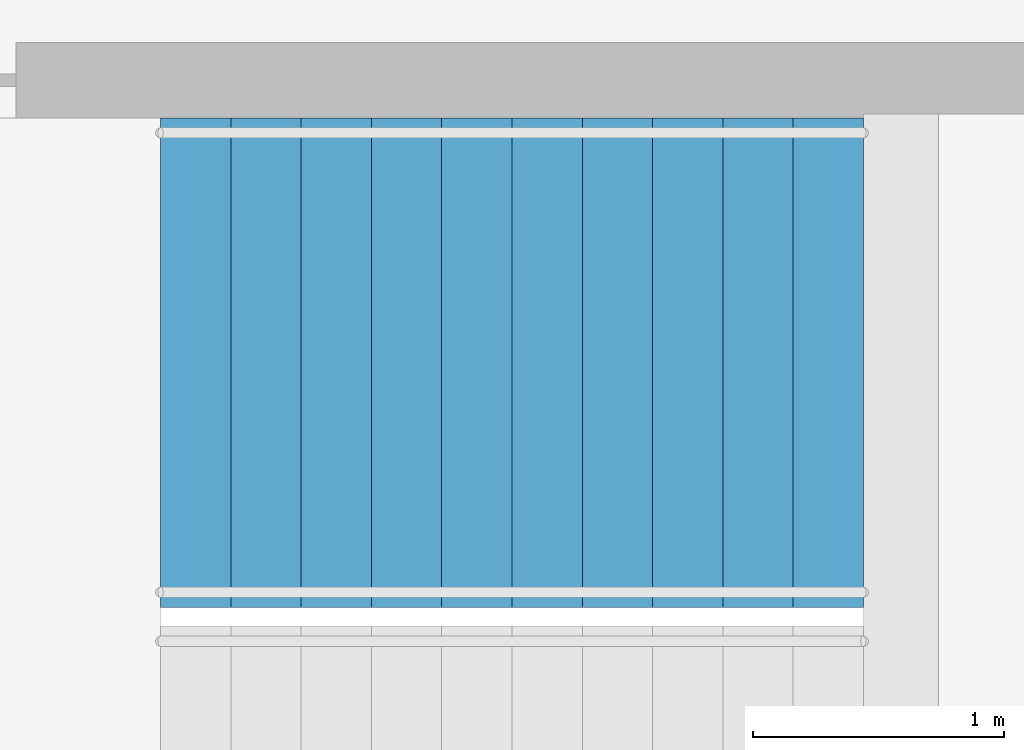
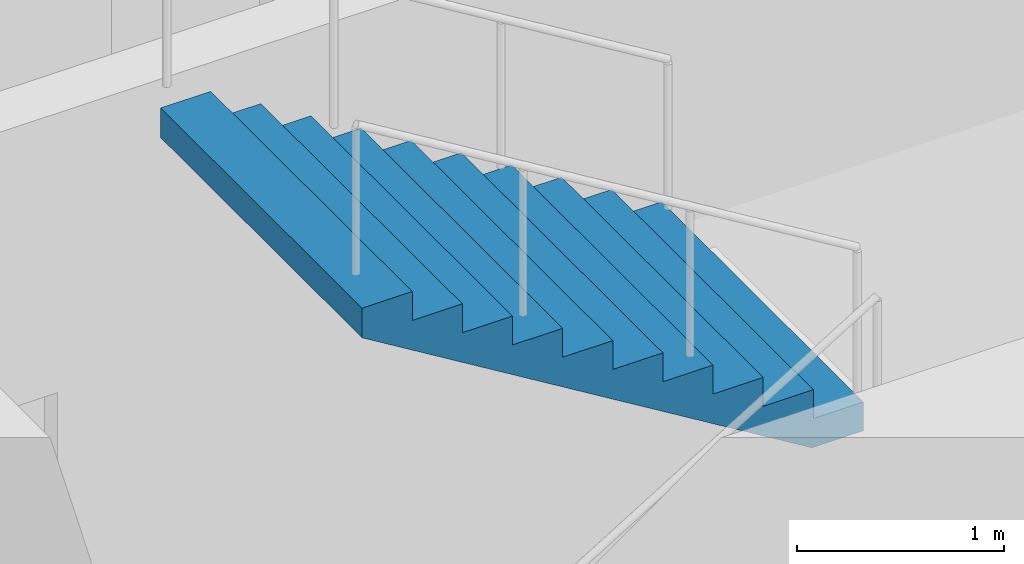
# One storey, part 18 of 21: 1 stair flight, 1 element without a shape of its own.
"""IFC4 building model written with IfcOpenShell, lengths in metres."""

from ifc_helpers import new_model, si_unit, direction, frame, origin, place, context, subcontext, project, spatial, triangles, material, type_object, element, aggregate, save


model = new_model("IFC4")

# Units and contexts
model_context = context("Model", 3, precision=1e-05, world=origin(), true_north=direction((0.0, 1.0)))
body_context = subcontext(model_context, "Body", "Model", "MODEL_VIEW")
ifc_project = project(units=[si_unit("LENGTHUNIT", "METRE"), si_unit("AREAUNIT", "SQUARE_METRE"), si_unit("VOLUMEUNIT", "CUBIC_METRE"), si_unit("PLANEANGLEUNIT", "RADIAN"), si_unit("MASSUNIT", "GRAM", prefix="KILO")], contexts=[model_context])

# Site, building, storey
site_placement = place(None, origin())
site = spatial("IfcSite", under=ifc_project, at=site_placement, CompositionType="ELEMENT")
building_placement = place(site_placement, origin())
building = spatial("IfcBuilding", under=site, at=building_placement, Name="Orbita Commons", CompositionType="ELEMENT")
storey_placement = place(building_placement, frame((0.0, 0.0, 103.14990234375)))
storey = spatial("IfcBuildingStorey", under=building, at=storey_placement, Name="L25", CompositionType="ELEMENT", Elevation=103.14990234375)

# Stair, stair flight
ifc_material_1 = material(Name="Precast concrete C40/50", Category="concrete")
stair_type = type_object("IfcStairType", Name="Exit stair S1 2 flights 11 risers 170", PredefinedType="HALF_TURN_STAIR", material=ifc_material_1)
stair_placement = place(storey_placement, origin())
stair = element("IfcStair", 1, at=stair_placement, inside=storey, type_object=stair_type, Name="Exit stair S1 L25", PredefinedType="HALF_TURN_STAIR")
ifc_material_2 = material(Name="Precast concrete C40/50", Category="concrete")
stair_flight_type = type_object("IfcStairFlightType", Name="Stair flight 11 risers 170 x 280", PredefinedType="STRAIGHT", material=ifc_material_2)
stair_flight_placement = place(storey_placement, frame((23.25, 29.27490234375, 1.875), z_axis=(0.0, 0.0, 1.0), x_axis=(-1.0, 0.0, 0.0)))
stair_flight = element("IfcStairFlight", 2, at=stair_flight_placement, type_object=stair_flight_type, Name="S1 flight 2", NumberOfRisers=11, NumberOfTreads=10, PredefinedType="STRAIGHT", RiserHeight=0.170454545, TreadLength=0.28, context=body_context, shape_type="Tessellation", body=[
    triangles([(0.0, 0.974976, 0.0), (0.0, 0.974976, 0.021307), (0.0, 0.81248, 0.021307), (0.0, 0.81248, 0.0), (0.0, 0.649984, 0.021307), (0.0, 0.649984, 0.0), (0.0, 0.487488, 0.021307), (0.0, 0.487488, 0.0), (0.0, 0.324992, 0.021307), (0.0, 0.324992, 0.0), (0.0, 0.162496, 0.021307), (0.0, 0.162496, 0.0), (0.0, 0.0, 0.021307), (0.0, 0.0, 0.0), (0.0, -0.162496, 0.021307), (0.0, -0.162496, 0.0), (0.0, -0.324992, 0.021307), (0.0, -0.324992, 0.0), (0.0, -0.487488, 0.021307), (0.0, -0.487488, 0.0), (0.0, -0.649984, 0.021307), (0.0, -0.649984, 0.0), (0.0, -0.81248, 0.021307), (0.0, -0.81248, 0.0), (0.0, -0.974976, 0.021307), (0.0, -0.974976, 0.0), (0.0, 0.974976, 0.042614), (0.0, 0.81248, 0.042614), (0.0, 0.649984, 0.042614), (0.0, 0.487488, 0.042614), (0.0, 0.324992, 0.042614), (0.0, 0.162496, 0.042614), (0.0, 0.0, 0.042614), (0.0, -0.162496, 0.042614), (0.0, -0.324992, 0.042614), (0.0, -0.487488, 0.042614), (0.0, -0.649984, 0.042614), (0.0, -0.81248, 0.042614), (0.0, -0.974976, 0.042614), (0.0, 0.974976, 0.06392), (0.0, 0.81248, 0.06392), (0.0, 0.649984, 0.06392), (0.0, 0.487488, 0.06392), (0.0, 0.324992, 0.06392), (0.0, 0.162496, 0.06392), (0.0, 0.0, 0.06392), (0.0, -0.162496, 0.06392), (0.0, -0.324992, 0.06392), (0.0, -0.487488, 0.06392), (0.0, -0.649984, 0.06392), (0.0, -0.81248, 0.06392), (0.0, -0.974976, 0.06392), (0.0, 0.974976, 0.085227), (0.0, 0.81248, 0.085227), (0.0, 0.649984, 0.085227), (0.0, 0.487488, 0.085227), (0.0, 0.324992, 0.085227), (0.0, 0.162496, 0.085227), (0.0, 0.0, 0.085227), (0.0, -0.162496, 0.085227), (0.0, -0.324992, 0.085227), (0.0, -0.487488, 0.085227), (0.0, -0.649984, 0.085227), (0.0, -0.81248, 0.085227), (0.0, -0.974976, 0.085227), (0.0, 0.974976, 0.106534), (0.0, 0.81248, 0.106534), (0.0, 0.649984, 0.106534), (0.0, 0.487488, 0.106534), (0.0, 0.324992, 0.106534), (0.0, 0.162496, 0.106534), (0.0, 0.0, 0.106534), (0.0, -0.162496, 0.106534), (0.0, -0.324992, 0.106534), (0.0, -0.487488, 0.106534), (0.0, -0.649984, 0.106534), (0.0, -0.81248, 0.106534), (0.0, -0.974976, 0.106534), (0.0, 0.974976, 0.127841), (0.0, 0.81248, 0.127841), (0.0, 0.649984, 0.127841), (0.0, 0.487488, 0.127841), (0.0, 0.324992, 0.127841), (0.0, 0.162496, 0.127841), (0.0, 0.0, 0.127841), (0.0, -0.162496, 0.127841), (0.0, -0.324992, 0.127841), (0.0, -0.487488, 0.127841), (0.0, -0.649984, 0.127841), (0.0, -0.81248, 0.127841), (0.0, -0.974976, 0.127841), (0.0, 0.974976, 0.149148), (0.0, 0.81248, 0.149148), (0.0, 0.649984, 0.149148), (0.0, 0.487488, 0.149148), (0.0, 0.324992, 0.149148), (0.0, 0.162496, 0.149148), (0.0, 0.0, 0.149148), (0.0, -0.162496, 0.149148), (0.0, -0.324992, 0.149148), (0.0, -0.487488, 0.149148), (0.0, -0.649984, 0.149148), (0.0, -0.81248, 0.149148), (0.0, -0.974976, 0.149148), (0.0, 0.974976, 0.170455), (0.0, 0.81248, 0.170455), (0.0, 0.649984, 0.170455), (0.0, 0.487488, 0.170455), (0.0, 0.324992, 0.170455), (0.0, 0.162496, 0.170455), (0.0, 0.0, 0.170455), (0.0, -0.162496, 0.170455), (0.0, -0.324992, 0.170455), (0.0, -0.487488, 0.170455), (0.0, -0.649984, 0.170455), (0.0, -0.81248, 0.170455), (0.0, -0.974976, 0.170455), (0.28, 0.974976, 0.170455), (0.28, 0.81248, 0.170455), (0.28, 0.649984, 0.170455), (0.28, 0.487488, 0.170455), (0.28, 0.324992, 0.170455), (0.28, 0.162496, 0.170455), (0.28, 0.0, 0.170455), (0.28, -0.162496, 0.170455), (0.28, -0.324992, 0.170455), (0.28, -0.487488, 0.170455), (0.28, -0.649984, 0.170455), (0.28, -0.81248, 0.170455), (0.28, -0.974976, 0.170455), (0.28, 0.974976, 0.340909), (0.28, 0.81248, 0.340909), (0.28, 0.649984, 0.340909), (0.28, 0.487488, 0.340909), (0.28, 0.324992, 0.340909), (0.28, 0.162496, 0.340909), (0.28, 0.0, 0.340909), (0.28, -0.162496, 0.340909), (0.28, -0.324992, 0.340909), (0.28, -0.487488, 0.340909), (0.28, -0.649984, 0.340909), (0.28, -0.81248, 0.340909), (0.28, -0.974976, 0.340909), (0.56, 0.974976, 0.340909), (0.56, 0.81248, 0.340909), (0.56, 0.649984, 0.340909), (0.56, 0.487488, 0.340909), (0.56, 0.324992, 0.340909), (0.56, 0.162496, 0.340909), (0.56, 0.0, 0.340909), (0.56, -0.162496, 0.340909), (0.56, -0.324992, 0.340909), (0.56, -0.487488, 0.340909), (0.56, -0.649984, 0.340909), (0.56, -0.81248, 0.340909), (0.56, -0.974976, 0.340909), (0.56, 0.974976, 0.511364), (0.56, 0.81248, 0.511364), (0.56, 0.649984, 0.511364), (0.56, 0.487488, 0.511364), (0.56, 0.324992, 0.511364), (0.56, 0.162496, 0.511364), (0.56, 0.0, 0.511364), (0.56, -0.162496, 0.511364), (0.56, -0.324992, 0.511364), (0.56, -0.487488, 0.511364), (0.56, -0.649984, 0.511364), (0.56, -0.81248, 0.511364), (0.56, -0.974976, 0.511364), (0.84, 0.974976, 0.511364), (0.84, 0.81248, 0.511364), (0.84, 0.649984, 0.511364), (0.84, 0.487488, 0.511364), (0.84, 0.324992, 0.511364), (0.84, 0.162496, 0.511364), (0.84, 0.0, 0.511364), (0.84, -0.162496, 0.511364), (0.84, -0.324992, 0.511364), (0.84, -0.487488, 0.511364), (0.84, -0.649984, 0.511364), (0.84, -0.81248, 0.511364), (0.84, -0.974976, 0.511364), (0.84, 0.974976, 0.681818), (0.84, 0.81248, 0.681818), (0.84, 0.649984, 0.681818), (0.84, 0.487488, 0.681818), (0.84, 0.324992, 0.681818), (0.84, 0.162496, 0.681818), (0.84, 0.0, 0.681818), (0.84, -0.162496, 0.681818), (0.84, -0.324992, 0.681818), (0.84, -0.487488, 0.681818), (0.84, -0.649984, 0.681818), (0.84, -0.81248, 0.681818), (0.84, -0.974976, 0.681818), (1.12, 0.974976, 0.681818), (1.12, 0.81248, 0.681818), (1.12, 0.649984, 0.681818), (1.12, 0.487488, 0.681818), (1.12, 0.324992, 0.681818), (1.12, 0.162496, 0.681818), (1.12, 0.0, 0.681818), (1.12, -0.162496, 0.681818), (1.12, -0.324992, 0.681818), (1.12, -0.487488, 0.681818), (1.12, -0.649984, 0.681818), (1.12, -0.81248, 0.681818), (1.12, -0.974976, 0.681818), (1.12, 0.974976, 0.852273), (1.12, 0.81248, 0.852273), (1.12, 0.649984, 0.852273), (1.12, 0.487488, 0.852273), (1.12, 0.324992, 0.852273), (1.12, 0.162496, 0.852273), (1.12, 0.0, 0.852273), (1.12, -0.162496, 0.852273), (1.12, -0.324992, 0.852273), (1.12, -0.487488, 0.852273), (1.12, -0.649984, 0.852273), (1.12, -0.81248, 0.852273), (1.12, -0.974976, 0.852273), (1.4, 0.974976, 0.852273), (1.4, 0.81248, 0.852273), (1.4, 0.649984, 0.852273), (1.4, 0.487488, 0.852273), (1.4, 0.324992, 0.852273), (1.4, 0.162496, 0.852273), (1.4, 0.0, 0.852273), (1.4, -0.162496, 0.852273), (1.4, -0.324992, 0.852273), (1.4, -0.487488, 0.852273), (1.4, -0.649984, 0.852273), (1.4, -0.81248, 0.852273), (1.4, -0.974976, 0.852273), (1.4, 0.974976, 1.022727), (1.4, 0.81248, 1.022727), (1.4, 0.649984, 1.022727), (1.4, 0.487488, 1.022727), (1.4, 0.324992, 1.022727), (1.4, 0.162496, 1.022727), (1.4, 0.0, 1.022727), (1.4, -0.162496, 1.022727), (1.4, -0.324992, 1.022727), (1.4, -0.487488, 1.022727), (1.4, -0.649984, 1.022727), (1.4, -0.81248, 1.022727), (1.4, -0.974976, 1.022727), (1.68, 0.974976, 1.022727), (1.68, 0.81248, 1.022727), (1.68, 0.649984, 1.022727), (1.68, 0.487488, 1.022727), (1.68, 0.324992, 1.022727), (1.68, 0.162496, 1.022727), (1.68, 0.0, 1.022727), (1.68, -0.162496, 1.022727), (1.68, -0.324992, 1.022727), (1.68, -0.487488, 1.022727), (1.68, -0.649984, 1.022727), (1.68, -0.81248, 1.022727), (1.68, -0.974976, 1.022727), (1.68, 0.974976, 1.193182), (1.68, 0.81248, 1.193182), (1.68, 0.649984, 1.193182), (1.68, 0.487488, 1.193182), (1.68, 0.324992, 1.193182), (1.68, 0.162496, 1.193182), (1.68, 0.0, 1.193182), (1.68, -0.162496, 1.193182), (1.68, -0.324992, 1.193182), (1.68, -0.487488, 1.193182), (1.68, -0.649984, 1.193182), (1.68, -0.81248, 1.193182), (1.68, -0.974976, 1.193182), (1.96, 0.974976, 1.193182), (1.96, 0.81248, 1.193182), (1.96, 0.649984, 1.193182), (1.96, 0.487488, 1.193182), (1.96, 0.324992, 1.193182), (1.96, 0.162496, 1.193182), (1.96, 0.0, 1.193182), (1.96, -0.162496, 1.193182), (1.96, -0.324992, 1.193182), (1.96, -0.487488, 1.193182), (1.96, -0.649984, 1.193182), (1.96, -0.81248, 1.193182), (1.96, -0.974976, 1.193182), (1.96, 0.974976, 1.363636), (1.96, 0.81248, 1.363636), (1.96, 0.649984, 1.363636), (1.96, 0.487488, 1.363636), (1.96, 0.324992, 1.363636), (1.96, 0.162496, 1.363636), (1.96, 0.0, 1.363636), (1.96, -0.162496, 1.363636), (1.96, -0.324992, 1.363636), (1.96, -0.487488, 1.363636), (1.96, -0.649984, 1.363636), (1.96, -0.81248, 1.363636), (1.96, -0.974976, 1.363636), (2.24, 0.974976, 1.363636), (2.24, 0.81248, 1.363636), (2.24, 0.649984, 1.363636), (2.24, 0.487488, 1.363636), (2.24, 0.324992, 1.363636), (2.24, 0.162496, 1.363636), (2.24, 0.0, 1.363636), (2.24, -0.162496, 1.363636), (2.24, -0.324992, 1.363636), (2.24, -0.487488, 1.363636), (2.24, -0.649984, 1.363636), (2.24, -0.81248, 1.363636), (2.24, -0.974976, 1.363636), (2.24, 0.974976, 1.534091), (2.24, 0.81248, 1.534091), (2.24, 0.649984, 1.534091), (2.24, 0.487488, 1.534091), (2.24, 0.324992, 1.534091), (2.24, 0.162496, 1.534091), (2.24, 0.0, 1.534091), (2.24, -0.162496, 1.534091), (2.24, -0.324992, 1.534091), (2.24, -0.487488, 1.534091), (2.24, -0.649984, 1.534091), (2.24, -0.81248, 1.534091), (2.24, -0.974976, 1.534091), (2.52, 0.974976, 1.534091), (2.52, 0.81248, 1.534091), (2.52, 0.649984, 1.534091), (2.52, 0.487488, 1.534091), (2.52, 0.324992, 1.534091), (2.52, 0.162496, 1.534091), (2.52, 0.0, 1.534091), (2.52, -0.162496, 1.534091), (2.52, -0.324992, 1.534091), (2.52, -0.487488, 1.534091), (2.52, -0.649984, 1.534091), (2.52, -0.81248, 1.534091), (2.52, -0.974976, 1.534091), (2.52, 0.974976, 1.704545), (2.52, 0.81248, 1.704545), (2.52, 0.649984, 1.704545), (2.52, 0.487488, 1.704545), (2.52, 0.324992, 1.704545), (2.52, 0.162496, 1.704545), (2.52, 0.0, 1.704545), (2.52, -0.162496, 1.704545), (2.52, -0.324992, 1.704545), (2.52, -0.487488, 1.704545), (2.52, -0.649984, 1.704545), (2.52, -0.81248, 1.704545), (2.52, -0.974976, 1.704545), (2.8, 0.974976, 1.704545), (2.8, 0.81248, 1.704545), (2.8, 0.649984, 1.704545), (2.8, 0.487488, 1.704545), (2.8, 0.324992, 1.704545), (2.8, 0.162496, 1.704545), (2.8, 0.0, 1.704545), (2.8, -0.162496, 1.704545), (2.8, -0.324992, 1.704545), (2.8, -0.487488, 1.704545), (2.8, -0.649984, 1.704545), (2.8, -0.81248, 1.704545), (2.8, -0.974976, 1.704545), (2.8, 0.974976, 1.682609), (2.8, 0.81248, 1.682609), (2.8, 0.649984, 1.682609), (2.8, 0.487488, 1.682609), (2.8, 0.324992, 1.682609), (2.8, 0.162496, 1.682609), (2.8, 0.0, 1.682609), (2.8, -0.162496, 1.682609), (2.8, -0.324992, 1.682609), (2.8, -0.487488, 1.682609), (2.8, -0.649984, 1.682609), (2.8, -0.81248, 1.682609), (2.8, -0.974976, 1.682609), (2.8, 0.974976, 1.660672), (2.8, 0.81248, 1.660672), (2.8, 0.649984, 1.660672), (2.8, 0.487488, 1.660672), (2.8, 0.324992, 1.660672), (2.8, 0.162496, 1.660672), (2.8, 0.0, 1.660672), (2.8, -0.162496, 1.660672), (2.8, -0.324992, 1.660672), (2.8, -0.487488, 1.660672), (2.8, -0.649984, 1.660672), (2.8, -0.81248, 1.660672), (2.8, -0.974976, 1.660672), (2.8, 0.974976, 1.638735), (2.8, 0.81248, 1.638735), (2.8, 0.649984, 1.638735), (2.8, 0.487488, 1.638735), (2.8, 0.324992, 1.638735), (2.8, 0.162496, 1.638735), (2.8, 0.0, 1.638735), (2.8, -0.162496, 1.638735), (2.8, -0.324992, 1.638735), (2.8, -0.487488, 1.638735), (2.8, -0.649984, 1.638735), (2.8, -0.81248, 1.638735), (2.8, -0.974976, 1.638735), (2.8, 0.974976, 1.616798), (2.8, 0.81248, 1.616798), (2.8, 0.649984, 1.616798), (2.8, 0.487488, 1.616798), (2.8, 0.324992, 1.616798), (2.8, 0.162496, 1.616798), (2.8, 0.0, 1.616798), (2.8, -0.162496, 1.616798), (2.8, -0.324992, 1.616798), (2.8, -0.487488, 1.616798), (2.8, -0.649984, 1.616798), (2.8, -0.81248, 1.616798), (2.8, -0.974976, 1.616798), (2.8, 0.974976, 1.594861), (2.8, 0.81248, 1.594861), (2.8, 0.649984, 1.594861), (2.8, 0.487488, 1.594861), (2.8, 0.324992, 1.594861), (2.8, 0.162496, 1.594861), (2.8, 0.0, 1.594861), (2.8, -0.162496, 1.594861), (2.8, -0.324992, 1.594861), (2.8, -0.487488, 1.594861), (2.8, -0.649984, 1.594861), (2.8, -0.81248, 1.594861), (2.8, -0.974976, 1.594861), (2.8, 0.974976, 1.572925), (2.8, 0.81248, 1.572925), (2.8, 0.649984, 1.572925), (2.8, 0.487488, 1.572925), (2.8, 0.324992, 1.572925), (2.8, 0.162496, 1.572925), (2.8, 0.0, 1.572925), (2.8, -0.162496, 1.572925), (2.8, -0.324992, 1.572925), (2.8, -0.487488, 1.572925), (2.8, -0.649984, 1.572925), (2.8, -0.81248, 1.572925), (2.8, -0.974976, 1.572925), (2.8, 0.974976, 1.550988), (2.8, 0.81248, 1.550988), (2.8, 0.649984, 1.550988), (2.8, 0.487488, 1.550988), (2.8, 0.324992, 1.550988), (2.8, 0.162496, 1.550988), (2.8, 0.0, 1.550988), (2.8, -0.162496, 1.550988), (2.8, -0.324992, 1.550988), (2.8, -0.487488, 1.550988), (2.8, -0.649984, 1.550988), (2.8, -0.81248, 1.550988), (2.8, -0.974976, 1.550988), (2.8, 0.974976, 1.529051), (2.8, 0.81248, 1.529051), (2.8, 0.649984, 1.529051), (2.8, 0.487488, 1.529051), (2.8, 0.324992, 1.529051), (2.8, 0.162496, 1.529051), (2.8, 0.0, 1.529051), (2.8, -0.162496, 1.529051), (2.8, -0.324992, 1.529051), (2.8, -0.487488, 1.529051), (2.8, -0.649984, 1.529051), (2.8, -0.81248, 1.529051), (2.8, -0.974976, 1.529051), (0.288279, 0.974976, 0.0), (0.288279, 0.81248, 0.0), (0.288279, 0.649984, 0.0), (0.288279, 0.487488, 0.0), (0.288279, 0.324992, 0.0), (0.288279, 0.162496, 0.0), (0.288279, 0.0, 0.0), (0.288279, -0.162496, 0.0), (0.288279, -0.324992, 0.0), (0.288279, -0.487488, 0.0), (0.288279, -0.649984, 0.0), (0.288279, -0.81248, 0.0), (0.288279, -0.974976, 0.0)], [[3, 2, 1], [4, 3, 1], [5, 3, 4], [6, 5, 4], [7, 5, 6], [8, 7, 6], [9, 7, 8], [10, 9, 8], [11, 9, 10], [12, 11, 10], [13, 11, 12], [14, 13, 12], [15, 13, 14], [16, 15, 14], [17, 15, 16], [18, 17, 16], [19, 17, 18], [20, 19, 18], [21, 19, 20], [22, 21, 20], [23, 21, 22], [24, 23, 22], [25, 23, 24], [26, 25, 24], [28, 27, 2], [3, 28, 2], [29, 28, 3], [5, 29, 3], [30, 29, 5], [7, 30, 5], [31, 30, 7], [9, 31, 7], [32, 31, 9], [11, 32, 9], [33, 32, 11], [13, 33, 11], [34, 33, 13], [15, 34, 13], [35, 34, 15], [17, 35, 15], [36, 35, 17], [19, 36, 17], [37, 36, 19], [21, 37, 19], [38, 37, 21], [23, 38, 21], [39, 38, 23], [25, 39, 23], [41, 40, 27], [28, 41, 27], [42, 41, 28], [29, 42, 28], [43, 42, 29], [30, 43, 29], [44, 43, 30], [31, 44, 30], [45, 44, 31], [32, 45, 31], [46, 45, 32], [33, 46, 32], [47, 46, 33], [34, 47, 33], [48, 47, 34], [35, 48, 34], [49, 48, 35], [36, 49, 35], [50, 49, 36], [37, 50, 36], [51, 50, 37], [38, 51, 37], [52, 51, 38], [39, 52, 38], [54, 53, 40], [41, 54, 40], [55, 54, 41], [42, 55, 41], [56, 55, 42], [43, 56, 42], [57, 56, 43], [44, 57, 43], [58, 57, 44], [45, 58, 44], [59, 58, 45], [46, 59, 45], [60, 59, 46], [47, 60, 46], [61, 60, 47], [48, 61, 47], [62, 61, 48], [49, 62, 48], [63, 62, 49], [50, 63, 49], [64, 63, 50], [51, 64, 50], [65, 64, 51], [52, 65, 51], [67, 66, 53], [54, 67, 53], [68, 67, 54], [55, 68, 54], [69, 68, 55], [56, 69, 55], [70, 69, 56], [57, 70, 56], [71, 70, 57], [58, 71, 57], [72, 71, 58], [59, 72, 58], [73, 72, 59], [60, 73, 59], [74, 73, 60], [61, 74, 60], [75, 74, 61], [62, 75, 61], [76, 75, 62], [63, 76, 62], [77, 76, 63], [64, 77, 63], [78, 77, 64], [65, 78, 64], [80, 79, 66], [67, 80, 66], [81, 80, 67], [68, 81, 67], [82, 81, 68], [69, 82, 68], [83, 82, 69], [70, 83, 69], [84, 83, 70], [71, 84, 70], [85, 84, 71], [72, 85, 71], [86, 85, 72], [73, 86, 72], [87, 86, 73], [74, 87, 73], [88, 87, 74], [75, 88, 74], [89, 88, 75], [76, 89, 75], [90, 89, 76], [77, 90, 76], [91, 90, 77], [78, 91, 77], [93, 92, 79], [80, 93, 79], [94, 93, 80], [81, 94, 80], [95, 94, 81], [82, 95, 81], [96, 95, 82], [83, 96, 82], [97, 96, 83], [84, 97, 83], [98, 97, 84], [85, 98, 84], [99, 98, 85], [86, 99, 85], [100, 99, 86], [87, 100, 86], [101, 100, 87], [88, 101, 87], [102, 101, 88], [89, 102, 88], [103, 102, 89], [90, 103, 89], [104, 103, 90], [91, 104, 90], [106, 105, 92], [93, 106, 92], [107, 106, 93], [94, 107, 93], [108, 107, 94], [95, 108, 94], [109, 108, 95], [96, 109, 95], [110, 109, 96], [97, 110, 96], [111, 110, 97], [98, 111, 97], [112, 111, 98], [99, 112, 98], [113, 112, 99], [100, 113, 99], [114, 113, 100], [101, 114, 100], [115, 114, 101], [102, 115, 101], [116, 115, 102], [103, 116, 102], [117, 116, 103], [104, 117, 103], [119, 118, 105], [106, 119, 105], [120, 119, 106], [107, 120, 106], [121, 120, 107], [108, 121, 107], [122, 121, 108], [109, 122, 108], [123, 122, 109], [110, 123, 109], [124, 123, 110], [111, 124, 110], [125, 124, 111], [112, 125, 111], [126, 125, 112], [113, 126, 112], [127, 126, 113], [114, 127, 113], [128, 127, 114], [115, 128, 114], [129, 128, 115], [116, 129, 115], [130, 129, 116], [117, 130, 116], [132, 131, 118], [119, 132, 118], [133, 132, 119], [120, 133, 119], [134, 133, 120], [121, 134, 120], [135, 134, 121], [122, 135, 121], [136, 135, 122], [123, 136, 122], [137, 136, 123], [124, 137, 123], [138, 137, 124], [125, 138, 124], [139, 138, 125], [126, 139, 125], [140, 139, 126], [127, 140, 126], [141, 140, 127], [128, 141, 127], [142, 141, 128], [129, 142, 128], [143, 142, 129], [130, 143, 129], [145, 144, 131], [132, 145, 131], [146, 145, 132], [133, 146, 132], [147, 146, 133], [134, 147, 133], [148, 147, 134], [135, 148, 134], [149, 148, 135], [136, 149, 135], [150, 149, 136], [137, 150, 136], [151, 150, 137], [138, 151, 137], [152, 151, 138], [139, 152, 138], [153, 152, 139], [140, 153, 139], [154, 153, 140], [141, 154, 140], [155, 154, 141], [142, 155, 141], [156, 155, 142], [143, 156, 142], [158, 157, 144], [145, 158, 144], [159, 158, 145], [146, 159, 145], [160, 159, 146], [147, 160, 146], [161, 160, 147], [148, 161, 147], [162, 161, 148], [149, 162, 148], [163, 162, 149], [150, 163, 149], [164, 163, 150], [151, 164, 150], [165, 164, 151], [152, 165, 151], [166, 165, 152], [153, 166, 152], [167, 166, 153], [154, 167, 153], [168, 167, 154], [155, 168, 154], [169, 168, 155], [156, 169, 155], [171, 170, 157], [158, 171, 157], [172, 171, 158], [159, 172, 158], [173, 172, 159], [160, 173, 159], [174, 173, 160], [161, 174, 160], [175, 174, 161], [162, 175, 161], [176, 175, 162], [163, 176, 162], [177, 176, 163], [164, 177, 163], [178, 177, 164], [165, 178, 164], [179, 178, 165], [166, 179, 165], [180, 179, 166], [167, 180, 166], [181, 180, 167], [168, 181, 167], [182, 181, 168], [169, 182, 168], [184, 183, 170], [171, 184, 170], [185, 184, 171], [172, 185, 171], [186, 185, 172], [173, 186, 172], [187, 186, 173], [174, 187, 173], [188, 187, 174], [175, 188, 174], [189, 188, 175], [176, 189, 175], [190, 189, 176], [177, 190, 176], [191, 190, 177], [178, 191, 177], [192, 191, 178], [179, 192, 178], [193, 192, 179], [180, 193, 179], [194, 193, 180], [181, 194, 180], [195, 194, 181], [182, 195, 181], [197, 196, 183], [184, 197, 183], [198, 197, 184], [185, 198, 184], [199, 198, 185], [186, 199, 185], [200, 199, 186], [187, 200, 186], [201, 200, 187], [188, 201, 187], [202, 201, 188], [189, 202, 188], [203, 202, 189], [190, 203, 189], [204, 203, 190], [191, 204, 190], [205, 204, 191], [192, 205, 191], [206, 205, 192], [193, 206, 192], [207, 206, 193], [194, 207, 193], [208, 207, 194], [195, 208, 194], [210, 209, 196], [197, 210, 196], [211, 210, 197], [198, 211, 197], [212, 211, 198], [199, 212, 198], [213, 212, 199], [200, 213, 199], [214, 213, 200], [201, 214, 200], [215, 214, 201], [202, 215, 201], [216, 215, 202], [203, 216, 202], [217, 216, 203], [204, 217, 203], [218, 217, 204], [205, 218, 204], [219, 218, 205], [206, 219, 205], [220, 219, 206], [207, 220, 206], [221, 220, 207], [208, 221, 207], [223, 222, 209], [210, 223, 209], [224, 223, 210], [211, 224, 210], [225, 224, 211], [212, 225, 211], [226, 225, 212], [213, 226, 212], [227, 226, 213], [214, 227, 213], [228, 227, 214], [215, 228, 214], [229, 228, 215], [216, 229, 215], [230, 229, 216], [217, 230, 216], [231, 230, 217], [218, 231, 217], [232, 231, 218], [219, 232, 218], [233, 232, 219], [220, 233, 219], [234, 233, 220], [221, 234, 220], [236, 235, 222], [223, 236, 222], [237, 236, 223], [224, 237, 223], [238, 237, 224], [225, 238, 224], [239, 238, 225], [226, 239, 225], [240, 239, 226], [227, 240, 226], [241, 240, 227], [228, 241, 227], [242, 241, 228], [229, 242, 228], [243, 242, 229], [230, 243, 229], [244, 243, 230], [231, 244, 230], [245, 244, 231], [232, 245, 231], [246, 245, 232], [233, 246, 232], [247, 246, 233], [234, 247, 233], [249, 248, 235], [236, 249, 235], [250, 249, 236], [237, 250, 236], [251, 250, 237], [238, 251, 237], [252, 251, 238], [239, 252, 238], [253, 252, 239], [240, 253, 239], [254, 253, 240], [241, 254, 240], [255, 254, 241], [242, 255, 241], [256, 255, 242], [243, 256, 242], [257, 256, 243], [244, 257, 243], [258, 257, 244], [245, 258, 244], [259, 258, 245], [246, 259, 245], [260, 259, 246], [247, 260, 246], [262, 261, 248], [249, 262, 248], [263, 262, 249], [250, 263, 249], [264, 263, 250], [251, 264, 250], [265, 264, 251], [252, 265, 251], [266, 265, 252], [253, 266, 252], [267, 266, 253], [254, 267, 253], [268, 267, 254], [255, 268, 254], [269, 268, 255], [256, 269, 255], [270, 269, 256], [257, 270, 256], [271, 270, 257], [258, 271, 257], [272, 271, 258], [259, 272, 258], [273, 272, 259], [260, 273, 259], [275, 274, 261], [262, 275, 261], [276, 275, 262], [263, 276, 262], [277, 276, 263], [264, 277, 263], [278, 277, 264], [265, 278, 264], [279, 278, 265], [266, 279, 265], [280, 279, 266], [267, 280, 266], [281, 280, 267], [268, 281, 267], [282, 281, 268], [269, 282, 268], [283, 282, 269], [270, 283, 269], [284, 283, 270], [271, 284, 270], [285, 284, 271], [272, 285, 271], [286, 285, 272], [273, 286, 272], [288, 287, 274], [275, 288, 274], [289, 288, 275], [276, 289, 275], [290, 289, 276], [277, 290, 276], [291, 290, 277], [278, 291, 277], [292, 291, 278], [279, 292, 278], [293, 292, 279], [280, 293, 279], [294, 293, 280], [281, 294, 280], [295, 294, 281], [282, 295, 281], [296, 295, 282], [283, 296, 282], [297, 296, 283], [284, 297, 283], [298, 297, 284], [285, 298, 284], [299, 298, 285], [286, 299, 285], [301, 300, 287], [288, 301, 287], [302, 301, 288], [289, 302, 288], [303, 302, 289], [290, 303, 289], [304, 303, 290], [291, 304, 290], [305, 304, 291], [292, 305, 291], [306, 305, 292], [293, 306, 292], [307, 306, 293], [294, 307, 293], [308, 307, 294], [295, 308, 294], [309, 308, 295], [296, 309, 295], [310, 309, 296], [297, 310, 296], [311, 310, 297], [298, 311, 297], [312, 311, 298], [299, 312, 298], [314, 313, 300], [301, 314, 300], [315, 314, 301], [302, 315, 301], [316, 315, 302], [303, 316, 302], [317, 316, 303], [304, 317, 303], [318, 317, 304], [305, 318, 304], [319, 318, 305], [306, 319, 305], [320, 319, 306], [307, 320, 306], [321, 320, 307], [308, 321, 307], [322, 321, 308], [309, 322, 308], [323, 322, 309], [310, 323, 309], [324, 323, 310], [311, 324, 310], [325, 324, 311], [312, 325, 311], [327, 326, 313], [314, 327, 313], [328, 327, 314], [315, 328, 314], [329, 328, 315], [316, 329, 315], [330, 329, 316], [317, 330, 316], [331, 330, 317], [318, 331, 317], [332, 331, 318], [319, 332, 318], [333, 332, 319], [320, 333, 319], [334, 333, 320], [321, 334, 320], [335, 334, 321], [322, 335, 321], [336, 335, 322], [323, 336, 322], [337, 336, 323], [324, 337, 323], [338, 337, 324], [325, 338, 324], [340, 339, 326], [327, 340, 326], [341, 340, 327], [328, 341, 327], [342, 341, 328], [329, 342, 328], [343, 342, 329], [330, 343, 329], [344, 343, 330], [331, 344, 330], [345, 344, 331], [332, 345, 331], [346, 345, 332], [333, 346, 332], [347, 346, 333], [334, 347, 333], [348, 347, 334], [335, 348, 334], [349, 348, 335], [336, 349, 335], [350, 349, 336], [337, 350, 336], [351, 350, 337], [338, 351, 337], [353, 352, 339], [340, 353, 339], [354, 353, 340], [341, 354, 340], [355, 354, 341], [342, 355, 341], [356, 355, 342], [343, 356, 342], [357, 356, 343], [344, 357, 343], [358, 357, 344], [345, 358, 344], [359, 358, 345], [346, 359, 345], [360, 359, 346], [347, 360, 346], [361, 360, 347], [348, 361, 347], [362, 361, 348], [349, 362, 348], [363, 362, 349], [350, 363, 349], [364, 363, 350], [351, 364, 350], [366, 365, 352], [353, 366, 352], [367, 366, 353], [354, 367, 353], [368, 367, 354], [355, 368, 354], [369, 368, 355], [356, 369, 355], [370, 369, 356], [357, 370, 356], [371, 370, 357], [358, 371, 357], [372, 371, 358], [359, 372, 358], [373, 372, 359], [360, 373, 359], [374, 373, 360], [361, 374, 360], [375, 374, 361], [362, 375, 361], [376, 375, 362], [363, 376, 362], [377, 376, 363], [364, 377, 363], [379, 378, 365], [366, 379, 365], [380, 379, 366], [367, 380, 366], [381, 380, 367], [368, 381, 367], [382, 381, 368], [369, 382, 368], [383, 382, 369], [370, 383, 369], [384, 383, 370], [371, 384, 370], [385, 384, 371], [372, 385, 371], [386, 385, 372], [373, 386, 372], [387, 386, 373], [374, 387, 373], [388, 387, 374], [375, 388, 374], [389, 388, 375], [376, 389, 375], [390, 389, 376], [377, 390, 376], [392, 391, 378], [379, 392, 378], [393, 392, 379], [380, 393, 379], [394, 393, 380], [381, 394, 380], [395, 394, 381], [382, 395, 381], [396, 395, 382], [383, 396, 382], [397, 396, 383], [384, 397, 383], [398, 397, 384], [385, 398, 384], [399, 398, 385], [386, 399, 385], [400, 399, 386], [387, 400, 386], [401, 400, 387], [388, 401, 387], [402, 401, 388], [389, 402, 388], [403, 402, 389], [390, 403, 389], [405, 404, 391], [392, 405, 391], [406, 405, 392], [393, 406, 392], [407, 406, 393], [394, 407, 393], [408, 407, 394], [395, 408, 394], [409, 408, 395], [396, 409, 395], [410, 409, 396], [397, 410, 396], [411, 410, 397], [398, 411, 397], [412, 411, 398], [399, 412, 398], [413, 412, 399], [400, 413, 399], [414, 413, 400], [401, 414, 400], [415, 414, 401], [402, 415, 401], [416, 415, 402], [403, 416, 402], [418, 417, 404], [405, 418, 404], [419, 418, 405], [406, 419, 405], [420, 419, 406], [407, 420, 406], [421, 420, 407], [408, 421, 407], [422, 421, 408], [409, 422, 408], [423, 422, 409], [410, 423, 409], [424, 423, 410], [411, 424, 410], [425, 424, 411], [412, 425, 411], [426, 425, 412], [413, 426, 412], [427, 426, 413], [414, 427, 413], [428, 427, 414], [415, 428, 414], [429, 428, 415], [416, 429, 415], [431, 430, 417], [418, 431, 417], [432, 431, 418], [419, 432, 418], [433, 432, 419], [420, 433, 419], [434, 433, 420], [421, 434, 420], [435, 434, 421], [422, 435, 421], [436, 435, 422], [423, 436, 422], [437, 436, 423], [424, 437, 423], [438, 437, 424], [425, 438, 424], [439, 438, 425], [426, 439, 425], [440, 439, 426], [427, 440, 426], [441, 440, 427], [428, 441, 427], [442, 441, 428], [429, 442, 428], [444, 443, 430], [431, 444, 430], [445, 444, 431], [432, 445, 431], [446, 445, 432], [433, 446, 432], [447, 446, 433], [434, 447, 433], [448, 447, 434], [435, 448, 434], [449, 448, 435], [436, 449, 435], [450, 449, 436], [437, 450, 436], [451, 450, 437], [438, 451, 437], [452, 451, 438], [439, 452, 438], [453, 452, 439], [440, 453, 439], [454, 453, 440], [441, 454, 440], [455, 454, 441], [442, 455, 441], [457, 456, 443], [444, 457, 443], [458, 457, 444], [445, 458, 444], [459, 458, 445], [446, 459, 445], [460, 459, 446], [447, 460, 446], [461, 460, 447], [448, 461, 447], [462, 461, 448], [449, 462, 448], [463, 462, 449], [450, 463, 449], [464, 463, 450], [451, 464, 450], [465, 464, 451], [452, 465, 451], [466, 465, 452], [453, 466, 452], [467, 466, 453], [454, 467, 453], [468, 467, 454], [455, 468, 454], [470, 469, 456], [457, 470, 456], [471, 470, 457], [458, 471, 457], [472, 471, 458], [459, 472, 458], [473, 472, 459], [460, 473, 459], [474, 473, 460], [461, 474, 460], [475, 474, 461], [462, 475, 461], [476, 475, 462], [463, 476, 462], [477, 476, 463], [464, 477, 463], [478, 477, 464], [465, 478, 464], [479, 478, 465], [466, 479, 465], [480, 479, 466], [467, 480, 466], [481, 480, 467], [468, 481, 467], [4, 1, 469], [470, 4, 469], [6, 4, 470], [471, 6, 470], [8, 6, 471], [472, 8, 471], [10, 8, 472], [473, 10, 472], [12, 10, 473], [474, 12, 473], [14, 12, 474], [475, 14, 474], [16, 14, 475], [476, 16, 475], [18, 16, 476], [477, 18, 476], [20, 18, 477], [478, 20, 477], [22, 20, 478], [479, 22, 478], [24, 22, 479], [480, 24, 479], [26, 24, 480], [481, 26, 480], [456, 469, 1], [26, 481, 468], [443, 456, 1], [26, 468, 455], [430, 443, 1], [26, 455, 442], [417, 430, 1], [26, 442, 429], [404, 417, 1], [26, 429, 416], [391, 404, 1], [26, 416, 403], [378, 391, 1], [26, 403, 390], [365, 378, 1], [26, 390, 377], [339, 352, 365], [377, 364, 351], [326, 339, 365], [377, 351, 338], [300, 313, 326], [338, 325, 312], [300, 326, 365], [377, 338, 312], [274, 287, 300], [312, 299, 286], [274, 300, 365], [377, 312, 286], [248, 261, 274], [286, 273, 260], [248, 274, 365], [377, 286, 260], [222, 235, 248], [260, 247, 234], [222, 248, 365], [377, 260, 234], [196, 209, 222], [234, 221, 208], [196, 222, 365], [377, 234, 208], [170, 183, 196], [208, 195, 182], [170, 196, 365], [377, 208, 182], [144, 157, 170], [182, 169, 156], [144, 170, 365], [377, 182, 156], [118, 131, 144], [156, 143, 130], [118, 144, 365], [377, 156, 130], [118, 365, 1], [26, 377, 130], [92, 105, 118], [130, 117, 104], [79, 92, 118], [130, 104, 91], [66, 79, 118], [130, 91, 78], [53, 66, 118], [130, 78, 65], [40, 53, 118], [130, 65, 52], [27, 40, 118], [130, 52, 39], [2, 27, 118], [130, 39, 25], [1, 2, 118], [130, 25, 26]], closed=True),
])
aggregate(stair, [stair_flight])

save(model, "model.ifc")
